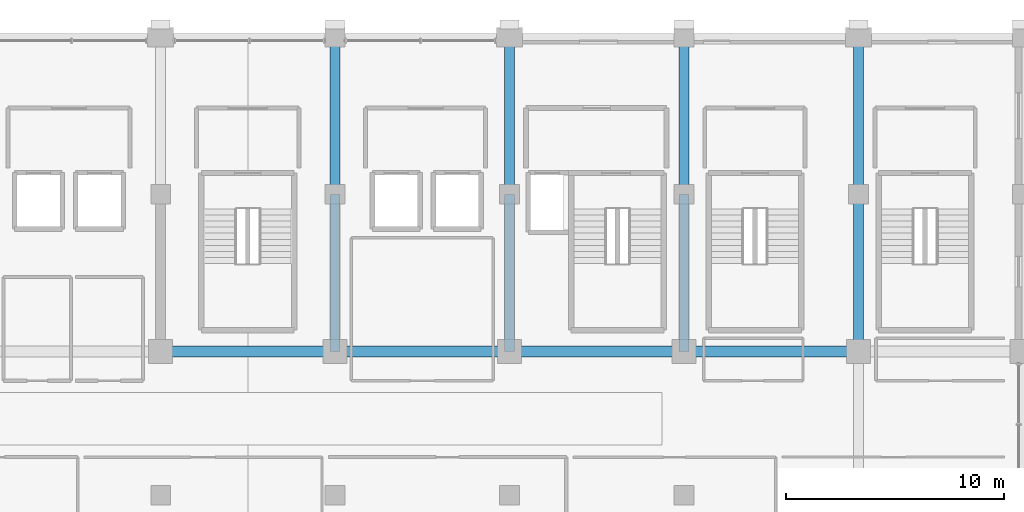
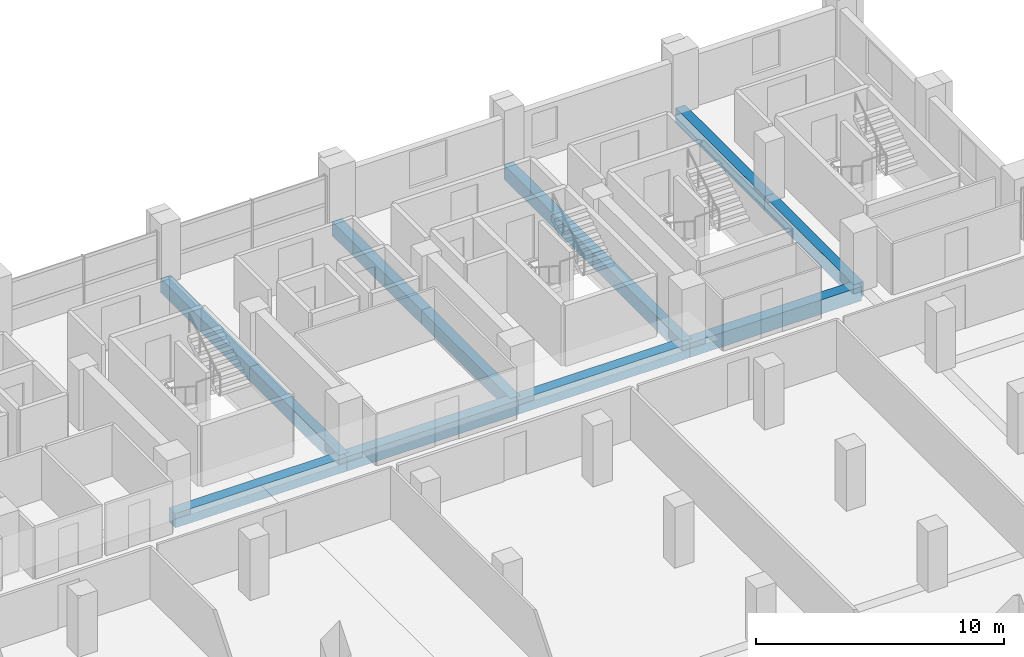
# One storey, part 11 of 21: 12 beams.
"""IFC4 building model written with IfcOpenShell, lengths in metres."""

from ifc_helpers import new_model, si_unit, direction, frame, origin, origin_2d, place, context, subcontext, project, spatial, rectangle, extrude, material, material_profile, profile_set, type_object, element, save


model = new_model("IFC4")

# Units and contexts
model_context = context("Model", 3, precision=1e-05, world=origin(), true_north=direction((0.0, 1.0)))
body_context = subcontext(model_context, "Body", "Model", "MODEL_VIEW")
ifc_project = project(units=[si_unit("LENGTHUNIT", "METRE"), si_unit("AREAUNIT", "SQUARE_METRE"), si_unit("VOLUMEUNIT", "CUBIC_METRE"), si_unit("PLANEANGLEUNIT", "RADIAN"), si_unit("MASSUNIT", "GRAM", prefix="KILO")], contexts=[model_context])

# Site, building, storey
site_placement = place(None, origin())
site = spatial("IfcSite", under=ifc_project, at=site_placement, CompositionType="ELEMENT")
building_placement = place(site_placement, origin())
building = spatial("IfcBuilding", under=site, at=building_placement, Name="Akrevak Sports Hall", CompositionType="ELEMENT")
storey_placement = place(building_placement, frame((0.0, 0.0, 27.550048828125)))
storey = spatial("IfcBuildingStorey", under=building, at=storey_placement, Name="L05", CompositionType="ELEMENT", Elevation=27.550048828125)

# Beams
ifc_material = material(Name="Concrete C40/50", Category="concrete")
ifc_material_profile_1 = material_profile(ifc_material, rectangle(XDim=0.449951171875, YDim=0.699951171875, at=origin_2d()), Name="BM 450x700", Category="concrete")
ifc_profile_set_1 = profile_set([ifc_material_profile_1], Name="Concrete C40/50")
beam_type_1 = type_object("IfcBeamType", Name="STR-BM-RC450x700", PredefinedType="BEAM", material=ifc_profile_set_1)
beam_1_placement = place(storey_placement, frame((84.0, 55.199951171875, -0.35009765625), z_axis=(0.0, 1.0, 0.0), x_axis=(-1.0, 0.0, 0.0)))
element("IfcBeam", 1, at=beam_1_placement, inside=storey, type_object=beam_type_1, Name="Girder 12/I-J (L05)", PredefinedType="BEAM", context=body_context, shape_type="SweptSolid", body=[
    extrude(rectangle(XDim=0.449951171875, YDim=0.699951171875, at=origin_2d()), origin(), (0.0, 0.0, 1.0), 7.199951171875),
])
beam_2_placement = place(storey_placement, frame((84.0, 62.39990234375, -0.35009765625), z_axis=(0.0, 1.0, 0.0), x_axis=(-1.0, 0.0, 0.0)))
element("IfcBeam", 2, at=beam_2_placement, inside=storey, type_object=beam_type_1, Name="Girder 12/J-K (L05)", PredefinedType="BEAM", context=body_context, shape_type="SweptSolid", body=[
    extrude(rectangle(XDim=0.449951171875, YDim=0.699951171875, at=origin_2d()), origin(), (0.0, 0.0, 1.0), 7.2001953125),
])
beam_3_placement = place(storey_placement, frame((92.0, 55.199951171875, -0.35009765625), z_axis=(0.0, 1.0, 0.0), x_axis=(-1.0, 0.0, 0.0)))
element("IfcBeam", 3, at=beam_3_placement, inside=storey, type_object=beam_type_1, Name="Girder 13/I-J (L05)", PredefinedType="BEAM", context=body_context, shape_type="SweptSolid", body=[
    extrude(rectangle(XDim=0.449951171875, YDim=0.699951171875, at=origin_2d()), origin(), (0.0, 0.0, 1.0), 7.199951171875),
])
beam_4_placement = place(storey_placement, frame((92.0, 62.39990234375, -0.35009765625), z_axis=(0.0, 1.0, 0.0), x_axis=(-1.0, 0.0, 0.0)))
element("IfcBeam", 4, at=beam_4_placement, inside=storey, type_object=beam_type_1, Name="Girder 13/J-K (L05)", PredefinedType="BEAM", context=body_context, shape_type="SweptSolid", body=[
    extrude(rectangle(XDim=0.449951171875, YDim=0.699951171875, at=origin_2d()), origin(), (0.0, 0.0, 1.0), 7.2001953125),
])
beam_5_placement = place(storey_placement, frame((100.0, 55.199951171875, -0.35009765625), z_axis=(0.0, 1.0, 0.0), x_axis=(-1.0, 0.0, 0.0)))
element("IfcBeam", 5, at=beam_5_placement, inside=storey, type_object=beam_type_1, Name="Girder 14/I-J (L05)", PredefinedType="BEAM", context=body_context, shape_type="SweptSolid", body=[
    extrude(rectangle(XDim=0.449951171875, YDim=0.699951171875, at=origin_2d()), origin(), (0.0, 0.0, 1.0), 7.199951171875),
])
beam_6_placement = place(storey_placement, frame((100.0, 62.39990234375, -0.35009765625), z_axis=(0.0, 1.0, 0.0), x_axis=(-1.0, 0.0, 0.0)))
element("IfcBeam", 6, at=beam_6_placement, inside=storey, type_object=beam_type_1, Name="Girder 14/J-K (L05)", PredefinedType="BEAM", context=body_context, shape_type="SweptSolid", body=[
    extrude(rectangle(XDim=0.449951171875, YDim=0.699951171875, at=origin_2d()), origin(), (0.0, 0.0, 1.0), 7.2001953125),
])
beam_7_placement = place(storey_placement, frame((108.0, 55.199951171875, -0.35009765625), z_axis=(0.0, 1.0, 0.0), x_axis=(-1.0, 0.0, 0.0)))
element("IfcBeam", 7, at=beam_7_placement, inside=storey, type_object=beam_type_1, Name="Girder 15/I-J (L05)", PredefinedType="BEAM", context=body_context, shape_type="SweptSolid", body=[
    extrude(rectangle(XDim=0.449951171875, YDim=0.699951171875, at=origin_2d()), origin(), (0.0, 0.0, 1.0), 7.199951171875),
])
beam_8_placement = place(storey_placement, frame((108.0, 62.39990234375, -0.35009765625), z_axis=(0.0, 1.0, 0.0), x_axis=(-1.0, 0.0, 0.0)))
element("IfcBeam", 8, at=beam_8_placement, inside=storey, type_object=beam_type_1, Name="Girder 15/J-K (L05)", PredefinedType="BEAM", context=body_context, shape_type="SweptSolid", body=[
    extrude(rectangle(XDim=0.449951171875, YDim=0.699951171875, at=origin_2d()), origin(), (0.0, 0.0, 1.0), 7.2001953125),
])
ifc_material_profile_2 = material_profile(ifc_material, rectangle(XDim=0.5, YDim=0.699951171875, at=origin_2d()), Name="BM 500x700", Category="concrete")
ifc_profile_set_2 = profile_set([ifc_material_profile_2], Name="Concrete C40/50")
beam_type_2 = type_object("IfcBeamType", Name="STR-BM-RC500x700", PredefinedType="BEAM", material=ifc_profile_set_2)
for number, where, z_axis, x_axis, name in (
    (9, (76.0, 55.199951171875, -0.35009765625), (1.0, 0.0, 0.0), (0.0, 1.0, 0.0), "Girder I/11-12 (L05)"),
    (10, (84.0, 55.199951171875, -0.35009765625), (1.0, 0.0, 0.0), (0.0, 1.0, 0.0), "Girder I/12-13 (L05)"),
    (11, (92.0, 55.199951171875, -0.35009765625), (1.0, 0.0, 0.0), (0.0, 1.0, 0.0), "Girder I/13-14 (L05)"),
    (12, (100.0, 55.199951171875, -0.35009765625), (1.0, 0.0, 0.0), (0.0, 1.0, 0.0), "Girder I/14-15 (L05)"),
):
    element("IfcBeam", number, at=place(storey_placement, frame(where, z_axis=z_axis, x_axis=x_axis)), inside=storey, type_object=beam_type_2, Name=name, PredefinedType="BEAM", context=body_context, shape_type="SweptSolid", body=[
        extrude(rectangle(XDim=0.5, YDim=0.699951171875, at=origin_2d()), origin(), (0.0, 0.0, 1.0), 8.0),
    ])

save(model, "model.ifc")
